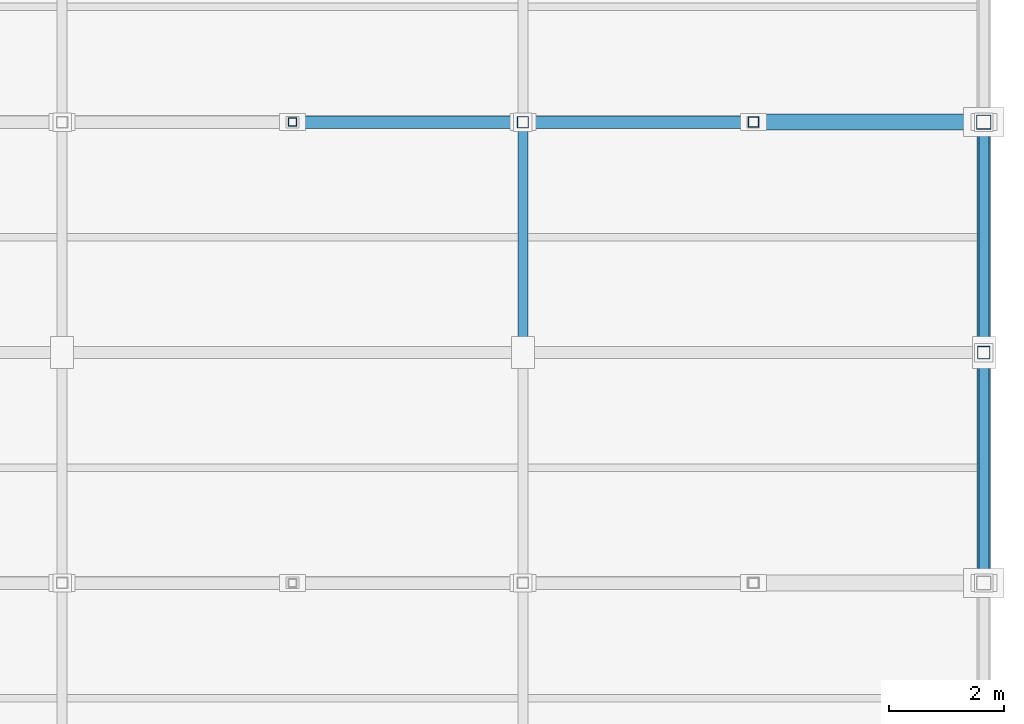
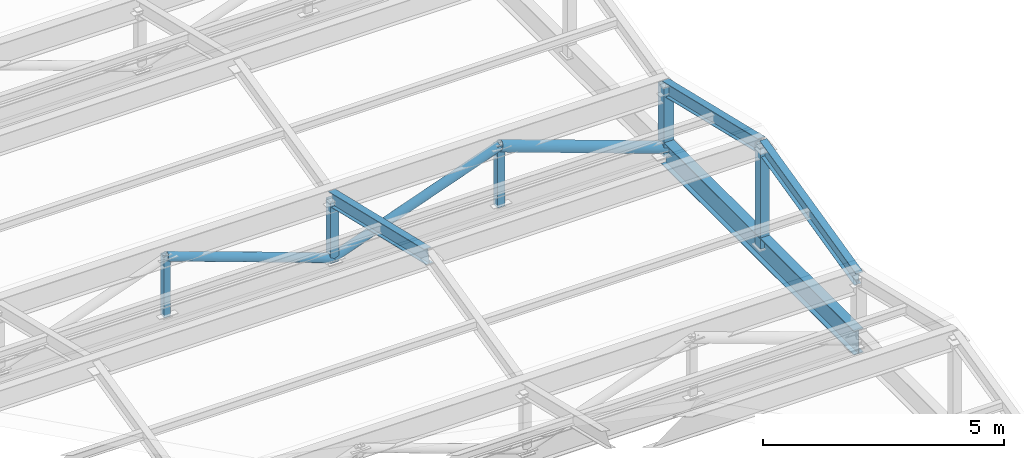
# One storey, part 56 of 112: 12 members.
"""IFC4 building model written with IfcOpenShell, lengths in metres."""

from ifc_helpers import new_model, si_unit, direction, frame, origin, origin_2d, place, context, subcontext, project, spatial, hollow_rectangle, hollow_circle, i_section, extrude, material, material_profile, profile_set, type_object, element, save


model = new_model("IFC4")

# Units and contexts
model_context = context("Model", 3, precision=1e-05, world=origin(), true_north=direction((0.0, 1.0)))
body_context = subcontext(model_context, "Body", "Model", "MODEL_VIEW")
ifc_project = project(units=[si_unit("LENGTHUNIT", "METRE"), si_unit("AREAUNIT", "SQUARE_METRE"), si_unit("VOLUMEUNIT", "CUBIC_METRE"), si_unit("PLANEANGLEUNIT", "RADIAN"), si_unit("MASSUNIT", "GRAM", prefix="KILO")], contexts=[model_context])

# Site, building, storey
site_placement = place(None, origin())
site = spatial("IfcSite", under=ifc_project, at=site_placement, CompositionType="ELEMENT")
building_placement = place(site_placement, origin())
building = spatial("IfcBuilding", under=site, at=building_placement, Name="Celadon Cloister-Ring School", CompositionType="ELEMENT")
storey_placement = place(building_placement, frame((0.0, 0.0, 8.5)))
storey = spatial("IfcBuildingStorey", under=building, at=storey_placement, Name="L02", CompositionType="ELEMENT", Elevation=8.5)

# Members
ifc_material_1 = material(Name="Structural steel S355JR", Category="steel")
ifc_material_profile_1 = material_profile(ifc_material_1, hollow_rectangle(XDim=0.25, YDim=0.25, WallThickness=0.010009765625, at=origin_2d()), Name="HSS250X250X10")
ifc_profile_set_1 = profile_set([ifc_material_profile_1], Name="Structural steel S355JR")
member_type_1 = type_object("IfcMemberType", Name="MB-01", PredefinedType="BRACE", material=ifc_profile_set_1)
member_1_placement = place(storey_placement, frame((174.0, 98.0, 0.85009765625), z_axis=(0.0, 0.0, 1.0), x_axis=(1.0, 0.0, 0.0)))
element("IfcMember", 1, at=member_1_placement, inside=storey, type_object=member_type_1, Name="Structural Member 0451", PredefinedType="BRACE", context=body_context, shape_type="SweptSolid", body=[
    extrude(hollow_rectangle(XDim=0.25, YDim=0.25, WallThickness=0.010009765625, at=origin_2d()), origin(), (0.0, 0.0, 1.0), 1.75),
])
ifc_material_2 = material(Name="Structural steel S355JR", Category="steel")
ifc_material_profile_2 = material_profile(ifc_material_2, hollow_rectangle(XDim=0.219970703125, YDim=0.219970703125, WallThickness=0.010009765625, at=origin_2d()), Name="HSS220X220X10")
ifc_profile_set_2 = profile_set([ifc_material_profile_2], Name="Structural steel S355JR")
member_type_2 = type_object("IfcMemberType", Name="MB-02", PredefinedType="BRACE", material=ifc_profile_set_2)
member_2_placement = place(storey_placement, frame((174.0, 94.0, 0.919921875), z_axis=(0.0, 0.0, 1.0), x_axis=(1.0, 0.0, 0.0)))
element("IfcMember", 2, at=member_2_placement, inside=storey, type_object=member_type_2, Name="Structural Member 0538", PredefinedType="BRACE", context=body_context, shape_type="SweptSolid", body=[
    extrude(hollow_rectangle(XDim=0.219970703125, YDim=0.219970703125, WallThickness=0.010009765625, at=origin_2d()), origin(), (0.0, 0.0, 1.0), 2.580078125),
])
ifc_material_3 = material(Name="Structural steel S355JR", Category="steel")
ifc_material_profile_3 = material_profile(ifc_material_3, hollow_rectangle(XDim=0.199951171875, YDim=0.199951171875, WallThickness=0.010009765625, at=origin_2d()), Name="HSS200X200X10")
ifc_profile_set_3 = profile_set([ifc_material_profile_3], Name="Structural steel S355JR")
member_type_3 = type_object("IfcMemberType", Name="MB-03", PredefinedType="BRACE", material=ifc_profile_set_3)
member_3_placement = place(storey_placement, frame((166.0, 98.0, 0.919921875), z_axis=(0.0, 0.0, 1.0), x_axis=(1.0, 0.0, 0.0)))
element("IfcMember", 3, at=member_3_placement, inside=storey, type_object=member_type_3, Name="Structural Member 0460", PredefinedType="BRACE", context=body_context, shape_type="SweptSolid", body=[
    extrude(hollow_rectangle(XDim=0.199951171875, YDim=0.199951171875, WallThickness=0.010009765625, at=origin_2d()), origin(), (0.0, 0.0, 1.0), 1.56005859375),
])
ifc_material_4 = material(Name="Structural steel S355JR", Category="steel")
ifc_material_profile_4 = material_profile(ifc_material_4, hollow_rectangle(XDim=0.179931640625, YDim=0.179931640625, WallThickness=0.008056640625, at=origin_2d()), Name="HSS180X180X8")
ifc_profile_set_4 = profile_set([ifc_material_profile_4], Name="Structural steel S355JR")
member_type_4 = type_object("IfcMemberType", Name="MB-04", PredefinedType="BRACE", material=ifc_profile_set_4)
member_4_placement = place(storey_placement, frame((170.0, 98.0, 0.919921875), z_axis=(0.0, 0.0, 1.0), x_axis=(1.0, 0.0, 0.0)))
element("IfcMember", 4, at=member_4_placement, inside=storey, type_object=member_type_4, Name="Structural Member 0455", PredefinedType="BRACE", context=body_context, shape_type="SweptSolid", body=[
    extrude(hollow_rectangle(XDim=0.179931640625, YDim=0.179931640625, WallThickness=0.008056640625, at=origin_2d()), origin(), (0.0, 0.0, 1.0), 1.56005859375),
])
ifc_material_5 = material(Name="Structural steel S355JR", Category="steel")
ifc_material_profile_5 = material_profile(ifc_material_5, hollow_rectangle(XDim=0.14990234375, YDim=0.14990234375, WallThickness=0.008056640625, at=origin_2d()), Name="HSS150X150X8")
ifc_profile_set_5 = profile_set([ifc_material_profile_5], Name="Structural steel S355JR")
member_type_5 = type_object("IfcMemberType", Name="MB-05", PredefinedType="BRACE", material=ifc_profile_set_5)
member_5_placement = place(storey_placement, frame((162.0, 98.0, 0.919921875), z_axis=(0.0, 0.0, 1.0), x_axis=(1.0, 0.0, 0.0)))
element("IfcMember", 5, at=member_5_placement, inside=storey, type_object=member_type_5, Name="Structural Member 0459", PredefinedType="BRACE", context=body_context, shape_type="SweptSolid", body=[
    extrude(hollow_rectangle(XDim=0.14990234375, YDim=0.14990234375, WallThickness=0.008056640625, at=origin_2d()), origin(), (0.0, 0.0, 1.0), 1.56005859375),
])
ifc_material_6 = material(Name="Structural steel S355JR", Category="steel")
ifc_material_profile_6 = material_profile(ifc_material_6, hollow_circle(Radius=0.136474609375, WallThickness=0.010009765625, at=origin_2d()), Name="CHS273.0X10")
ifc_profile_set_6 = profile_set([ifc_material_profile_6], Name="Structural steel S355JR")
member_type_6 = type_object("IfcMemberType", Name="MB-07", PredefinedType="BRACE", material=ifc_profile_set_6)
member_6_placement = place(storey_placement, frame((170.0, 98.0, 2.419921875), z_axis=(0.94089180426, 0.0, -0.338707266939), x_axis=(0.0, 1.0, 0.0)))
element("IfcMember", 6, at=member_6_placement, inside=storey, type_object=member_type_6, Name="Structural Member 0468", PredefinedType="BRACE", context=body_context, shape_type="SweptSolid", body=[
    extrude(hollow_circle(Radius=0.136474609375, WallThickness=0.010009765625, at=origin_2d()), origin(), (0.0, 0.0, 1.0), 4.251220703125),
])
ifc_material_7 = material(Name="Structural steel S355JR", Category="steel")
ifc_material_profile_7 = material_profile(ifc_material_7, hollow_circle(Radius=0.109619140625, WallThickness=0.010009765625, at=origin_2d()), Name="CHS219.1X10")
ifc_profile_set_7 = profile_set([ifc_material_profile_7], Name="Structural steel S355JR")
member_type_7 = type_object("IfcMemberType", Name="MB-08", PredefinedType="BRACE", material=ifc_profile_set_7)
for number, where, z_axis, x_axis, name in (
    (7, (162.0, 98.0, 2.419921875), (0.94089180426, 0.0, -0.338707266939), (0.0, 1.0, 0.0), "Structural Member 0466"),
    (8, (166.0, 98.0, 0.97998046875), (0.94089180426, 0.0, 0.338707266939), (0.0, 1.0, 0.0), "Structural Member 0467"),
):
    element("IfcMember", number, at=place(storey_placement, frame(where, z_axis=z_axis, x_axis=x_axis)), inside=storey, type_object=member_type_7, Name=name, PredefinedType="BRACE", context=body_context, shape_type="SweptSolid", body=[
        extrude(hollow_circle(Radius=0.109619140625, WallThickness=0.010009765625, at=origin_2d()), origin(), (0.0, 0.0, 1.0), 4.251220703125),
    ])
ifc_material_8 = material(Name="Structural steel S355JR", Category="steel")
ifc_material_profile_8 = material_profile(ifc_material_8, i_section(OverallWidth=0.22900390625, OverallDepth=0.612060546875, WebThickness=0.011962890625, FlangeThickness=0.01953125, at=origin_2d()), Name="W610X125")
ifc_profile_set_8 = profile_set([ifc_material_profile_8], Name="Structural steel S355JR")
member_type_8 = type_object("IfcMemberType", Name="MC-01", PredefinedType="CHORD", material=ifc_profile_set_8)
member_7_placement = place(storey_placement, frame((174.0, 90.0, 0.89990234375), z_axis=(0.0, 1.0, 0.0), x_axis=(-1.0, 0.0, 0.0)))
element("IfcMember", 9, at=member_7_placement, inside=storey, type_object=member_type_8, Name="Structural Member 0388", PredefinedType="CHORD", context=body_context, shape_type="SweptSolid", body=[
    extrude(i_section(OverallWidth=0.22900390625, OverallDepth=0.612060546875, WebThickness=0.011962890625, FlangeThickness=0.01953125, at=origin_2d()), origin(), (0.0, 0.0, 1.0), 8.0),
])
ifc_material_9 = material(Name="Structural steel S355JR", Category="steel")
ifc_material_profile_9 = material_profile(ifc_material_9, i_section(OverallWidth=0.1708984375, OverallDepth=0.35498046875, WebThickness=0.007080078125, FlangeThickness=0.01171875, at=origin_2d()), Name="W360X51")
ifc_profile_set_9 = profile_set([ifc_material_profile_9], Name="Structural steel S355JR")
member_type_9 = type_object("IfcMemberType", Name="MR-05", PredefinedType="RAFTER", material=ifc_profile_set_9)
for number, where, z_axis, x_axis, name in (
    (10, (166.0, 94.0, 3.449951171875), (0.0, 0.97293922076, -0.231061188231), (-1.0, 0.0, 0.0), "Structural Member 0547"),
    (11, (174.0, 90.0, 2.5), (0.0, 0.97293922076, 0.231061188231), (-1.0, 0.0, 0.0), "Structural Member 0548"),
    (12, (174.0, 94.0, 3.449951171875), (0.0, 0.97293922076, -0.231061188231), (-1.0, 0.0, 0.0), "Structural Member 0549"),
):
    element("IfcMember", number, at=place(storey_placement, frame(where, z_axis=z_axis, x_axis=x_axis)), inside=storey, type_object=member_type_9, Name=name, PredefinedType="RAFTER", context=body_context, shape_type="SweptSolid", body=[
        extrude(i_section(OverallWidth=0.1708984375, OverallDepth=0.35498046875, WebThickness=0.007080078125, FlangeThickness=0.01171875, at=origin_2d()), origin(), (0.0, 0.0, 1.0), 4.111328125),
    ])

save(model, "model.ifc")
